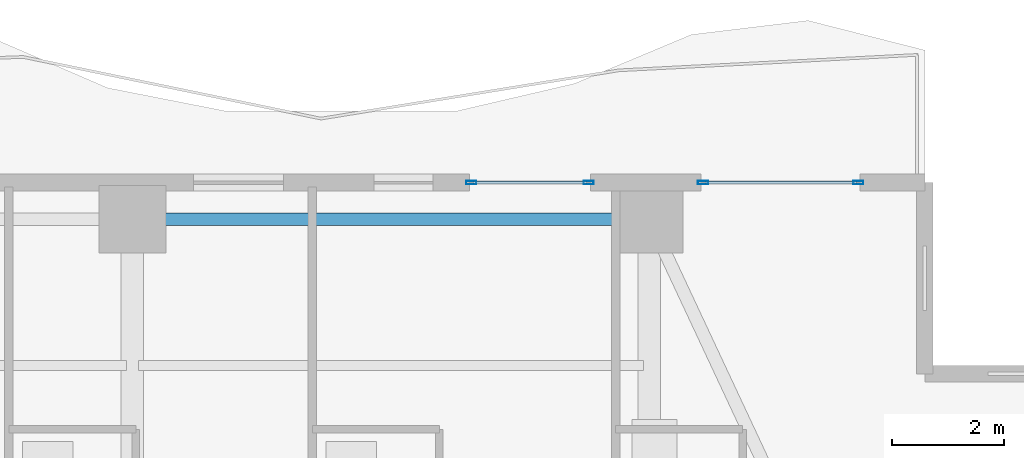
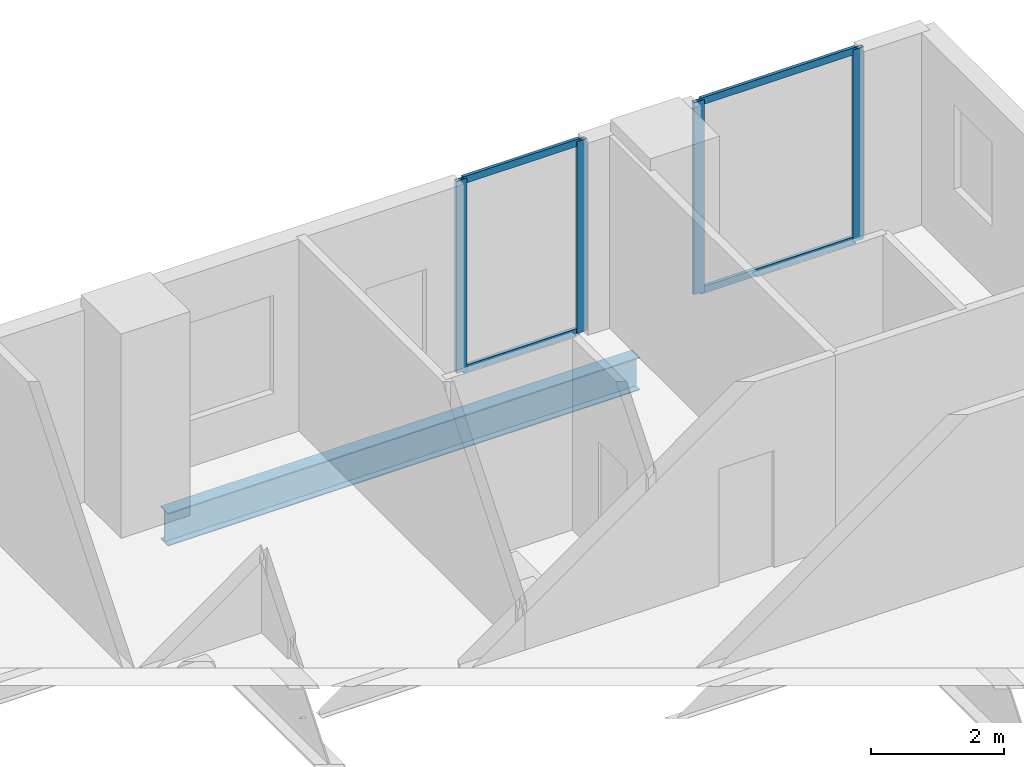
# One storey, part 22 of 33: 8 members, 1 beam, 2 elements without a shape of their own.
"""IFC4 building model written with IfcOpenShell, lengths in metres."""

from ifc_helpers import new_model, si_unit, direction, frame, origin, origin_2d, place, context, subcontext, project, spatial, hollow_rectangle, i_section, extrude, material, layer, layer_set, material_profile, profile_set, type_object, element, aggregate, save


model = new_model("IFC4")

# Units and contexts
model_context = context("Model", 3, precision=1e-05, world=origin(), true_north=direction((0.0, 1.0)))
body_context = subcontext(model_context, "Body", "Model", "MODEL_VIEW")
ifc_project = project(units=[si_unit("LENGTHUNIT", "METRE"), si_unit("AREAUNIT", "SQUARE_METRE"), si_unit("VOLUMEUNIT", "CUBIC_METRE"), si_unit("PLANEANGLEUNIT", "RADIAN"), si_unit("MASSUNIT", "GRAM", prefix="KILO")], contexts=[model_context])

# Site, building, storey
site_placement = place(None, origin())
site = spatial("IfcSite", under=ifc_project, at=site_placement, CompositionType="ELEMENT")
building_placement = place(site_placement, origin())
building = spatial("IfcBuilding", under=site, at=building_placement, Name="Zuhayl Quay Hotel", CompositionType="ELEMENT")
storey_placement = place(building_placement, frame((0.0, 0.0, 207.39990234375)))
storey = spatial("IfcBuildingStorey", under=building, at=storey_placement, Name="L52", CompositionType="ELEMENT", Elevation=207.39990234375)

# Beam
ifc_material_1 = material(Name="Steel ASTM A992 Grade 50", Category="steel")
ifc_material_profile_1 = material_profile(ifc_material_1, i_section(OverallWidth=0.22802734375, OverallDepth=0.60693359375, WebThickness=0.01123046875, FlangeThickness=0.017333984375, at=origin_2d()), Name="W24X76")
ifc_profile_set_1 = profile_set([ifc_material_profile_1], Name="Steel ASTM A992 Grade 50")
beam_type = type_object("IfcBeamType", Name="BM_B3_W24X76", PredefinedType="BEAM", material=ifc_profile_set_1)
beam_placement = place(storey_placement, frame((13.300048828125, 32.949951171875, -0.5234375), z_axis=(-1.0, 0.0, 0.0), x_axis=(0.0, -1.0, 0.0)))
element("IfcBeam", 1, at=beam_placement, inside=storey, type_object=beam_type, Name="L52 Floor Beam RG_L52_07", PredefinedType="BEAM", context=body_context, shape_type="SweptSolid", body=[
    extrude(i_section(OverallWidth=0.22802734375, OverallDepth=0.60693359375, WebThickness=0.01123046875, FlangeThickness=0.017333984375, at=origin_2d()), origin(), (0.0, 0.0, 1.0), 8.199951171875),
])

# Curtain wall, members
ifc_material_2 = material(Name="Anodised Aluminium 6063-T6", Category="aluminium")
ifc_layer = layer(ifc_material_2, 0.175048828125, Name="Anodised Aluminium 6063-T6", Category="aluminium")
ifc_layer_set = layer_set([ifc_layer], Name="Anodised Aluminium 6063-T6")
curtain_wall_type = type_object("IfcCurtainWallType", Name="CW_SYS_Z3", PredefinedType="USERDEFINED", material=ifc_layer_set)
curtain_wall_1_placement = place(storey_placement, origin())
curtain_wall_1 = element("IfcCurtainWall", 2, at=curtain_wall_1_placement, inside=storey, type_object=curtain_wall_type, Name="L52 Curtain Wall ENV_L52_N_CW3", ObjectType="UNITISED CURTAIN WALL", PredefinedType="USERDEFINED")
ifc_material_3 = material(Name="Black-anodised aluminium 6063-T6", Category="aluminium")
ifc_material_profile_2 = material_profile(ifc_material_3, hollow_rectangle(XDim=0.06494140625, YDim=0.179931640625, WallThickness=0.00341796875, at=origin_2d()), Name="ALU180X65")
ifc_profile_set_2 = profile_set([ifc_material_profile_2], Name="Black-anodised aluminium 6063-T6")
member_type_1 = type_object("IfcMemberType", Name="MB_CW_MUL_180", PredefinedType="MULLION", material=ifc_profile_set_2)
member_1_placement = place(storey_placement, frame((10.62744140625, 33.60009765625, 0.0), z_axis=(0.0, 0.0, 1.0), x_axis=(0.0, 1.0, 0.0)))
member_1 = element("IfcMember", 3, at=member_1_placement, type_object=member_type_1, Name="CW-Z3 mullion 1", PredefinedType="MULLION", context=body_context, shape_type="SweptSolid", body=[
    extrude(hollow_rectangle(XDim=0.06494140625, YDim=0.179931640625, WallThickness=0.00341796875, at=origin_2d()), origin(), (0.0, 0.0, 1.0), 3.530029296875),
])
member_2_placement = place(storey_placement, frame((12.717529296875, 33.60009765625, 0.0), z_axis=(0.0, 0.0, 1.0), x_axis=(0.0, 1.0, 0.0)))
member_2 = element("IfcMember", 4, at=member_2_placement, type_object=member_type_1, Name="CW-Z3 mullion 2", PredefinedType="MULLION", context=body_context, shape_type="SweptSolid", body=[
    extrude(hollow_rectangle(XDim=0.06494140625, YDim=0.179931640625, WallThickness=0.00341796875, at=origin_2d()), origin(), (0.0, 0.0, 1.0), 3.530029296875),
])

curtain_wall_2_placement = place(storey_placement, origin())
curtain_wall_2 = element("IfcCurtainWall", 5, at=curtain_wall_2_placement, inside=storey, type_object=curtain_wall_type, Name="L52 Curtain Wall ENV_L52_N_CW4", ObjectType="UNITISED CURTAIN WALL", PredefinedType="USERDEFINED")
member_3_placement = place(storey_placement, frame((14.75244140625, 33.60009765625, 0.0), z_axis=(0.0, 0.0, 1.0), x_axis=(0.0, 1.0, 0.0)))
member_3 = element("IfcMember", 6, at=member_3_placement, type_object=member_type_1, Name="CW-Z3 mullion 1", PredefinedType="MULLION", context=body_context, shape_type="SweptSolid", body=[
    extrude(hollow_rectangle(XDim=0.06494140625, YDim=0.179931640625, WallThickness=0.00341796875, at=origin_2d()), origin(), (0.0, 0.0, 1.0), 3.530029296875),
])
member_4_placement = place(storey_placement, frame((17.517578125, 33.60009765625, 0.0), z_axis=(0.0, 0.0, 1.0), x_axis=(0.0, 1.0, 0.0)))
member_4 = element("IfcMember", 7, at=member_4_placement, type_object=member_type_1, Name="CW-Z3 mullion 2", PredefinedType="MULLION", context=body_context, shape_type="SweptSolid", body=[
    extrude(hollow_rectangle(XDim=0.06494140625, YDim=0.179931640625, WallThickness=0.00341796875, at=origin_2d()), origin(), (0.0, 0.0, 1.0), 3.530029296875),
])

# Member
ifc_material_profile_3 = material_profile(ifc_material_3, hollow_rectangle(XDim=0.054931640625, YDim=0.1298828125, WallThickness=0.0029296875, at=origin_2d()), Name="ALU130X55")
ifc_profile_set_3 = profile_set([ifc_material_profile_3], Name="Black-anodised aluminium 6063-T6")
member_type_2 = type_object("IfcMemberType", Name="MB_CW_TRN_130", PredefinedType="USERDEFINED", material=ifc_profile_set_3)
member_5_placement = place(storey_placement, frame((10.659912109375, 33.60009765625, 0.027587890625), z_axis=(1.0, 0.0, 0.0), x_axis=(0.0, 1.0, 0.0)))
member_5 = element("IfcMember", 8, at=member_5_placement, type_object=member_type_2, Name="CW-Z3 transom 1.1", ObjectType="TRANSOM", PredefinedType="USERDEFINED", context=body_context, shape_type="SweptSolid", body=[
    extrude(hollow_rectangle(XDim=0.054931640625, YDim=0.1298828125, WallThickness=0.0029296875, at=origin_2d()), origin(), (0.0, 0.0, 1.0), 2.025146484375),
])

member_6_placement = place(storey_placement, frame((10.659912109375, 33.60009765625, 3.502685546875), z_axis=(1.0, 0.0, 0.0), x_axis=(0.0, 1.0, 0.0)))
member_6 = element("IfcMember", 9, at=member_6_placement, type_object=member_type_2, Name="CW-Z3 transom 1.2", ObjectType="TRANSOM", PredefinedType="USERDEFINED", context=body_context, shape_type="SweptSolid", body=[
    extrude(hollow_rectangle(XDim=0.054931640625, YDim=0.1298828125, WallThickness=0.0029296875, at=origin_2d()), origin(), (0.0, 0.0, 1.0), 2.025146484375),
])

aggregate(curtain_wall_1, [member_1, member_2, member_5, member_6])

member_7_placement = place(storey_placement, frame((14.784912109375, 33.60009765625, 0.027587890625), z_axis=(1.0, 0.0, 0.0), x_axis=(0.0, 1.0, 0.0)))
member_7 = element("IfcMember", 10, at=member_7_placement, type_object=member_type_2, Name="CW-Z3 transom 1.1", ObjectType="TRANSOM", PredefinedType="USERDEFINED", context=body_context, shape_type="SweptSolid", body=[
    extrude(hollow_rectangle(XDim=0.054931640625, YDim=0.1298828125, WallThickness=0.0029296875, at=origin_2d()), origin(), (0.0, 0.0, 1.0), 2.7001953125),
])

member_8_placement = place(storey_placement, frame((14.784912109375, 33.60009765625, 3.502685546875), z_axis=(1.0, 0.0, 0.0), x_axis=(0.0, 1.0, 0.0)))
member_8 = element("IfcMember", 11, at=member_8_placement, type_object=member_type_2, Name="CW-Z3 transom 1.2", ObjectType="TRANSOM", PredefinedType="USERDEFINED", context=body_context, shape_type="SweptSolid", body=[
    extrude(hollow_rectangle(XDim=0.054931640625, YDim=0.1298828125, WallThickness=0.0029296875, at=origin_2d()), origin(), (0.0, 0.0, 1.0), 2.7001953125),
])

aggregate(curtain_wall_2, [member_3, member_4, member_7, member_8])

save(model, "model.ifc")
